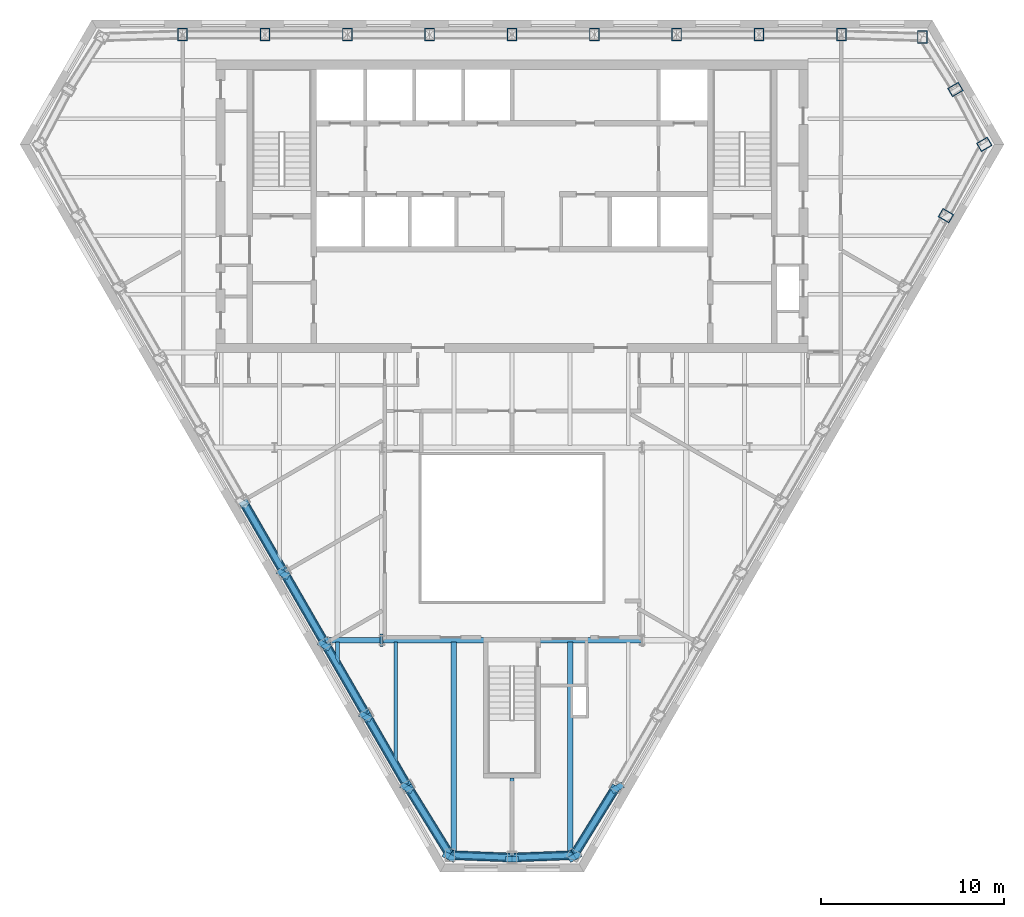
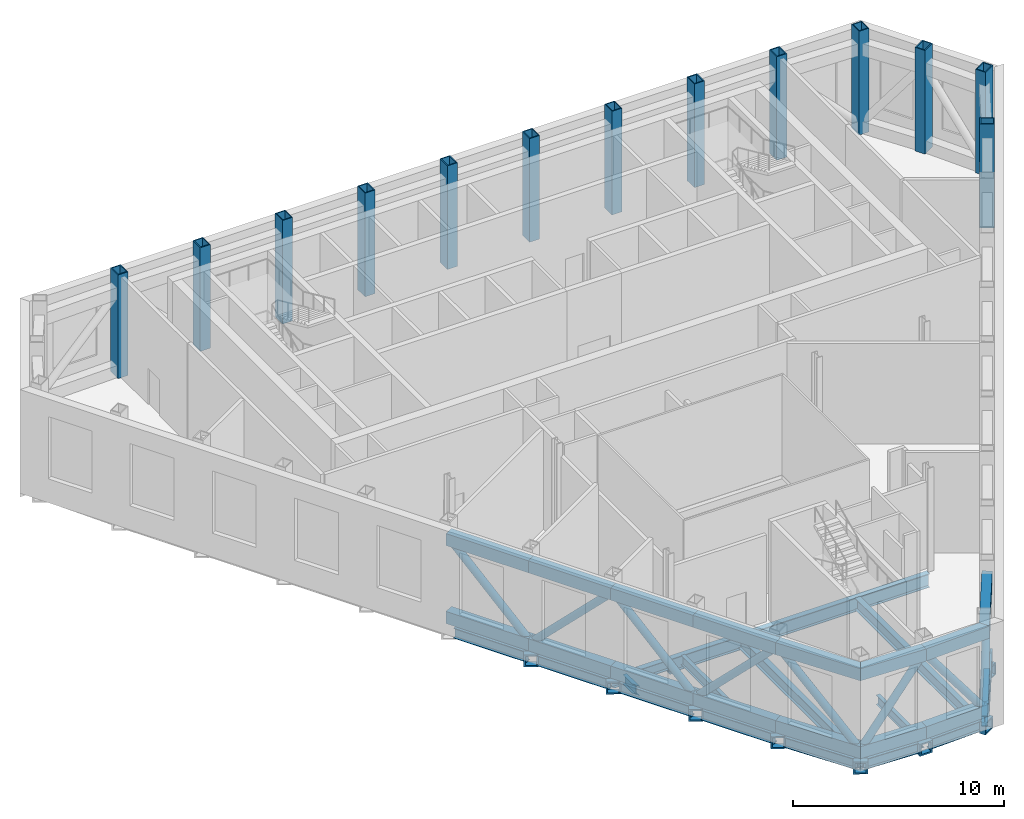
# One storey, part 2 of 13: 24 beams, 24 members, 13 columns.
"""IFC4 building model written with IfcOpenShell, lengths in metres."""

import ifcopenshell
import ifcopenshell.guid

model = None  # the IFC model being written
_history = None  # IfcOwnerHistory: only IFC2X3 demands one
_inside = {}  # id of a spatial element -> (the spatial element, [elements in it])
_under = {}  # id of a project, library or spatial element -> (it, [spatial elements below it])
_declared = {}  # id of a project -> (the project, [libraries it declares])
_typed = {}  # id of a type object -> (the type object, [elements of that type])
_made_of = {}  # id of a material, layer set ... -> (it, [elements and type objects made of it])


def new_model(schema):
    """Start an empty IFC model of exactly this schema.

    Asked for "IFC4X3", IfcOpenShell would pick the latest addendum, in which some entities
    have other attributes; the version numbers below select the first issue.
    IFC2X3 requires an IfcOwnerHistory on every rooted entity: one is made here for all.
    """
    global model, _history
    if schema == "IFC4X3":
        model = ifcopenshell.file(schema_version=(4, 3, 0, 0))
    else:
        model = ifcopenshell.file(schema=schema)
    _inside.clear()
    _under.clear()
    _declared.clear()
    _typed.clear()
    _made_of.clear()
    _history = None
    if model.schema == "IFC2X3":
        org = make("IfcOrganization", Name="unknown")
        user = make(
            "IfcPersonAndOrganization",
            ThePerson=make("IfcPerson", FamilyName="unknown"),
            TheOrganization=org,
        )
        app = make(
            "IfcApplication",
            ApplicationDeveloper=org,
            Version="unknown",
            ApplicationFullName="unknown",
            ApplicationIdentifier="unknown",
        )
        _history = make(
            "IfcOwnerHistory",
            OwningUser=user,
            OwningApplication=app,
            ChangeAction="ADDED",
            CreationDate=0,
        )
    return model


def make(cls, **values):
    """One entity of the class cls with the attributes given. An attribute that is None is left unset."""
    return model.create_entity(
        cls, **{name: value for name, value in values.items() if value is not None}
    )


def rooted(cls, **values):
    """An entity with a GlobalId (a new one), such as an element, a storey or a relation."""
    return make(cls, GlobalId=ifcopenshell.guid.new(), OwnerHistory=_history, **values)


def si_unit(unit_type, name, prefix=None):
    """IfcSIUnit, for example si_unit("LENGTHUNIT", "METRE", prefix="MILLI")."""
    return make("IfcSIUnit", UnitType=unit_type, Prefix=prefix, Name=name)


def assignment(units):
    """IfcUnitAssignment: the units of a project."""
    return None if units is None else make("IfcUnitAssignment", Units=units)


def point(xyz):
    """IfcCartesianPoint."""
    return None if xyz is None else make("IfcCartesianPoint", Coordinates=xyz)


def direction(xyz):
    """IfcDirection."""
    return None if xyz is None else make("IfcDirection", DirectionRatios=xyz)


def frame(location, z_axis=None, x_axis=None):
    """IfcAxis2Placement3D, a coordinate frame: its origin and axes. An axis left out is left unset."""
    return make(
        "IfcAxis2Placement3D",
        Location=point(location),
        Axis=direction(z_axis),
        RefDirection=direction(x_axis),
    )


def frame_2d(location, x_axis=None):
    """IfcAxis2Placement2D, a coordinate frame in the plane: its origin and x axis."""
    return make(
        "IfcAxis2Placement2D", Location=point(location), RefDirection=direction(x_axis)
    )


def origin():
    """The frame at (0, 0, 0) with its axes left unset."""
    return frame((0.0, 0.0, 0.0))


def origin_2d():
    """The frame at (0, 0) in the plane with its x axis left unset."""
    return frame_2d((0.0, 0.0))


def place(relative_to, where):
    """IfcLocalPlacement: puts the frame where relative to a parent placement (None: the world)."""
    return make(
        "IfcLocalPlacement", PlacementRelTo=relative_to, RelativePlacement=where
    )


def context(
    kind, dimensions, precision=None, world=None, true_north=None, identifier=None
):
    """IfcGeometricRepresentationContext, for example the 3D "Model" context."""
    return make(
        "IfcGeometricRepresentationContext",
        ContextIdentifier=identifier,
        ContextType=kind,
        CoordinateSpaceDimension=dimensions,
        Precision=precision,
        WorldCoordinateSystem=world,
        TrueNorth=true_north,
    )


def subcontext(parent, identifier, kind, view, scale=None):
    """IfcGeometricRepresentationSubContext, for example "Body" below "Model"."""
    return make(
        "IfcGeometricRepresentationSubContext",
        ContextIdentifier=identifier,
        ContextType=kind,
        ParentContext=parent,
        TargetScale=scale,
        TargetView=view,
    )


def project(units=None, contexts=None):
    """IfcProject with its units and contexts."""
    return rooted(
        "IfcProject",
        Name="project",
        RepresentationContexts=contexts,
        UnitsInContext=assignment(units),
    )


def spatial(cls, under=None, at=None, **own):
    """A site, building, storey or space (cls), placed at a placement, below another one or the project."""
    s = rooted(cls, ObjectPlacement=at, **own)
    if under is not None:
        _under.setdefault(under.id(), (under, []))[1].append(s)
    return s


def profile(cls, at=None, kind="AREA", **sizes):
    """A parametric profile (cls). Its sizes go by their IFC names, for example OverallWidth=200.0."""
    return make(cls, ProfileType=kind, Position=at, **sizes)


def hollow_rectangle(**sizes):
    """IfcRectangleHollowProfileDef."""
    return profile("IfcRectangleHollowProfileDef", **sizes)


def hollow_circle(**sizes):
    """IfcCircleHollowProfileDef."""
    return profile("IfcCircleHollowProfileDef", **sizes)


def i_section(**sizes):
    """IfcIShapeProfileDef."""
    return profile("IfcIShapeProfileDef", **sizes)


def extrude(swept, where, along, depth):
    """IfcExtrudedAreaSolid: the profile swept, set in the frame where, extruded along a direction by depth."""
    return make(
        "IfcExtrudedAreaSolid",
        SweptArea=swept,
        Position=where,
        ExtrudedDirection=direction(along),
        Depth=depth,
    )


def clip(a, b, op="DIFFERENCE"):
    """IfcBooleanClippingResult: the solid a cut by the half space b."""
    return make(
        "IfcBooleanClippingResult", Operator=op, FirstOperand=a, SecondOperand=b
    )


def halfspace(plane, agree):
    """IfcHalfSpaceSolid: all space on one side of the plane z = 0 of the frame plane."""
    return make(
        "IfcHalfSpaceSolid",
        BaseSurface=make("IfcPlane", Position=plane),
        AgreementFlag=agree,
    )


def shape(context_of_items, identifier, shape_type, items):
    """IfcShapeRepresentation: the items that make up one representation, for example the "Body"."""
    return make(
        "IfcShapeRepresentation",
        ContextOfItems=context_of_items,
        RepresentationIdentifier=identifier,
        RepresentationType=shape_type,
        Items=items,
    )


def material(Name=None, Category=None):
    """IfcMaterial."""
    return make("IfcMaterial", Name=Name, Category=Category)


def material_profile(
    of_material, cross_section, Name=None, Category=None, Priority=None
):
    """IfcMaterialProfile: a cross section and its material."""
    return make(
        "IfcMaterialProfile",
        Name=Name,
        Material=of_material,
        Profile=cross_section,
        Priority=Priority,
        Category=Category,
    )


def profile_set(profiles, Name=None, composite=None):
    """IfcMaterialProfileSet."""
    return make(
        "IfcMaterialProfileSet",
        Name=Name,
        MaterialProfiles=profiles,
        CompositeProfile=composite,
    )


def made_of(thing, what):
    """Note that an element or type object is made of a material, layer set ...; save() writes the relation."""
    if what is not None:
        _made_of.setdefault(what.id(), (what, []))[1].append(thing)
    return thing


def type_object(cls, material=None, **own):
    """A type object (cls), such as IfcWallType, which elements share."""
    return made_of(rooted(cls, **own), material)


def element(
    cls,
    number,
    at=None,
    inside=None,
    cuts=None,
    type_object=None,
    material=None,
    context=None,
    identifier="Body",
    shape_type=None,
    held_by="IfcProductDefinitionShape",
    body=None,
    shapes=None,
    **own,
):
    """One element of the class cls, such as IfcWall. Its Tag is "e" and its number.

    at: its placement. inside: the storey or other place that contains it. cuts: it is an
    opening in that element (IfcRelVoidsElement). A single representation is given by context,
    identifier, shape_type and body (its items); several are given by shapes. held_by: the class
    of the entity that holds the representations. save() writes the other relations.
    """
    e = rooted(cls, Tag="e%d" % number, ObjectPlacement=at, **own)
    if body is not None:
        shapes = [shape(context, identifier, shape_type, body)]
    if shapes is not None:
        e.Representation = make(held_by, Representations=shapes)
    if inside is not None:
        _inside.setdefault(inside.id(), (inside, []))[1].append(e)
    if cuts is not None:
        rooted(
            "IfcRelVoidsElement", RelatingBuildingElement=cuts, RelatedOpeningElement=e
        )
    if type_object is not None:
        _typed.setdefault(type_object.id(), (type_object, []))[1].append(e)
    return made_of(e, material)


def aggregate(whole, parts):
    """IfcRelAggregates: a whole, such as a stair, and the parts it consists of."""
    return rooted("IfcRelAggregates", RelatingObject=whole, RelatedObjects=parts)


def save(model, path):
    """Write the relations noted so far, then the file.

    IfcRelAggregates (storeys below a building ...), IfcRelContainedInSpatialStructure (elements
    in a storey), IfcRelDefinesByType, IfcRelAssociatesMaterial and IfcRelDeclares: one each for
    every whole, place, type object, material and project.
    """
    for whole, parts in _under.values():
        aggregate(whole, parts)
    for where, things in _inside.values():
        rooted(
            "IfcRelContainedInSpatialStructure",
            RelatedElements=things,
            RelatingStructure=where,
        )
    for kind, things in _typed.values():
        rooted("IfcRelDefinesByType", RelatedObjects=things, RelatingType=kind)
    for what, things in _made_of.values():
        rooted("IfcRelAssociatesMaterial", RelatedObjects=things, RelatingMaterial=what)
    for by, libraries in _declared.values():
        rooted("IfcRelDeclares", RelatingContext=by, RelatedDefinitions=libraries)
    model.write(path)


model = new_model("IFC4")

# Units and contexts
model_context = context("Model", 3, precision=1e-05, world=origin(), true_north=direction((0.0, 1.0)))
body_context = subcontext(model_context, "Body", "Model", "MODEL_VIEW")
ifc_project = project(units=[si_unit("LENGTHUNIT", "METRE"), si_unit("AREAUNIT", "SQUARE_METRE"), si_unit("VOLUMEUNIT", "CUBIC_METRE"), si_unit("PLANEANGLEUNIT", "RADIAN"), si_unit("MASSUNIT", "GRAM", prefix="KILO")], contexts=[model_context])

# Site, building, storey
site_placement = place(None, origin())
site = spatial("IfcSite", under=ifc_project, at=site_placement, CompositionType="ELEMENT")
building_placement = place(site_placement, origin())
building = spatial("IfcBuilding", under=site, at=building_placement, Name="Njiva Tower", CompositionType="ELEMENT")
storey_placement = place(building_placement, frame((0.0, 0.0, 186.6)))
storey = spatial("IfcBuildingStorey", under=building, at=storey_placement, Name="L41", CompositionType="ELEMENT", Elevation=186.6)

# Columns
ifc_material_1 = material(Name="Steel S355 J2", Category="steel")
ifc_material_profile_1 = material_profile(ifc_material_1, hollow_rectangle(XDim=0.55, YDim=0.7, WallThickness=0.05, at=origin_2d()), Name="BOX 700x550x50")
ifc_profile_set_1 = profile_set([ifc_material_profile_1], Name="Steel S355 J2")
column_type = type_object("IfcColumnType", Name="C11 Perimeter tube column BOX 700x550x50", PredefinedType="COLUMN", material=ifc_profile_set_1)
for number, where, z_axis, x_axis, name in (
    (1, (22.461, 19.267, 0.0), (0.0, 0.0, 1.0), (-1.0, 0.0, 0.0), "Perimeter tube column T3-C01"),
    (2, (18.03, 19.4, 0.0), (0.0, 0.0, 1.0), (-1.0, 0.0, 0.0), "Perimeter tube column T3-C02"),
    (3, (13.523, 19.4, 0.0), (0.0, 0.0, 1.0), (-1.0, 0.0, 0.0), "Perimeter tube column T3-C03"),
    (4, (9.015, 19.4, 0.0), (0.0, 0.0, 1.0), (-1.0, 0.0, 0.0), "Perimeter tube column T3-C04"),
    (5, (4.508, 19.4, 0.0), (0.0, 0.0, 1.0), (-1.0, 0.0, 0.0), "Perimeter tube column T3-C05"),
    (6, (0.0, 19.4, 0.0), (0.0, 0.0, 1.0), (-1.0, 0.0, 0.0), "Perimeter tube column T3-C06"),
    (7, (-4.508, 19.4, 0.0), (0.0, 0.0, 1.0), (-1.0, 0.0, 0.0), "Perimeter tube column T3-C07"),
    (8, (-9.015, 19.4, 0.0), (0.0, 0.0, 1.0), (-1.0, 0.0, 0.0), "Perimeter tube column T3-C08"),
    (9, (-13.523, 19.4, 0.0), (0.0, 0.0, 1.0), (-1.0, 0.0, 0.0), "Perimeter tube column T3-C09"),
    (10, (-18.03, 19.4, 0.0), (0.0, 0.0, 1.0), (-1.0, 0.0, 0.0), "Perimeter tube column T3-C10"),
    (11, (23.752, 9.489, 0.0), (0.0, 0.0, 1.0), (0.5, 0.866025403784, 0.0), "Perimeter tube column T3-C34"),
    (12, (25.853, 13.393, 0.0), (0.0, 0.0, 1.0), (-0.5, 0.866025403784, 0.0), "Perimeter tube column T3-C35"),
    (13, (24.272, 16.397, 0.0), (0.0, 0.0, 1.0), (-0.5, 0.866025403784, 0.0), "Perimeter tube column T3-C36"),
):
    element("IfcColumn", number, at=place(storey_placement, frame(where, z_axis=z_axis, x_axis=x_axis)), inside=storey, type_object=column_type, Name=name, PredefinedType="COLUMN", context=body_context, shape_type="SweptSolid", body=[
        extrude(hollow_rectangle(XDim=0.55, YDim=0.7, WallThickness=0.05, at=origin_2d()), origin(), (0.0, 0.0, 1.0), 6.0),
    ])

# Beams
ifc_material_profile_2 = material_profile(ifc_material_1, i_section(OverallWidth=0.3, OverallDepth=0.69, WebThickness=0.0145, FlangeThickness=0.027, at=origin_2d()), Name="HEA 700")
ifc_profile_set_2 = profile_set([ifc_material_profile_2], Name="Steel S355 J2")
beam_type_1 = type_object("IfcBeamType", Name="B12 Long-span floor joist HEA 700", PredefinedType="JOIST", material=ifc_profile_set_2)
beam_1_placement = place(storey_placement, frame((-3.183, -13.85, -0.545), z_axis=(0.0, -1.0, 0.0), x_axis=(1.0, 0.0, 0.0)))
element("IfcBeam", 14, at=beam_1_placement, inside=storey, type_object=beam_type_1, Name="Long-span floor joist T3-B056", PredefinedType="JOIST", context=body_context, shape_type="SweptSolid", body=[
    extrude(i_section(OverallWidth=0.3, OverallDepth=0.69, WebThickness=0.0145, FlangeThickness=0.027, at=origin_2d()), origin(), (0.0, 0.0, 1.0), 11.543),
])
beam_2_placement = place(storey_placement, frame((3.183, -13.85, -0.545), z_axis=(0.0, -1.0, 0.0), x_axis=(1.0, 0.0, 0.0)))
element("IfcBeam", 15, at=beam_2_placement, inside=storey, type_object=beam_type_1, Name="Long-span floor joist T3-B060", PredefinedType="JOIST", context=body_context, shape_type="SweptSolid", body=[
    extrude(i_section(OverallWidth=0.3, OverallDepth=0.69, WebThickness=0.0145, FlangeThickness=0.027, at=origin_2d()), origin(), (0.0, 0.0, 1.0), 11.55),
])
ifc_material_profile_3 = material_profile(ifc_material_1, hollow_rectangle(XDim=0.7, YDim=0.7, WallThickness=0.08, at=origin_2d()), Name="BOX 700x700x80")
ifc_profile_set_3 = profile_set([ifc_material_profile_3], Name="Steel S355 J2")
beam_type_2 = type_object("IfcBeamType", Name="B19 Column jog beam BOX 700x700x80", PredefinedType="BEAM", material=ifc_profile_set_3)
beam_3_placement = place(storey_placement, frame((-12.615, -10.26, -0.55), z_axis=(0.496799306689, 0.867865455513, 0.0), x_axis=(-0.867865455513, 0.496799306689, 0.0)))
element("IfcBeam", 16, at=beam_3_placement, inside=storey, type_object=beam_type_2, Name="Column jog beam T3-B026", PredefinedType="BEAM", context=body_context, shape_type="SweptSolid", body=[
    extrude(hollow_rectangle(XDim=0.7, YDim=0.7, WallThickness=0.08, at=origin_2d()), origin(), (0.0, 0.0, 1.0), 0.3261),
])
beam_4_placement = place(storey_placement, frame((-10.36, -14.164, -0.55), z_axis=(0.489822391419, 0.871822243846, 0.0), x_axis=(-0.871822243846, 0.489822391419, 0.0)))
element("IfcBeam", 17, at=beam_4_placement, inside=storey, type_object=beam_type_2, Name="Column jog beam T3-B027", PredefinedType="BEAM", context=body_context, shape_type="SweptSolid", body=[
    extrude(hollow_rectangle(XDim=0.7, YDim=0.7, WallThickness=0.08, at=origin_2d()), origin(), (0.0, 0.0, 1.0), 0.3246),
])
beam_5_placement = place(storey_placement, frame((-8.106, -18.069, -0.55), z_axis=(0.488509809828, 0.872558402459, 0.0), x_axis=(-0.872558402459, 0.488509809828, 0.0)))
element("IfcBeam", 18, at=beam_5_placement, inside=storey, type_object=beam_type_2, Name="Column jog beam T3-B028", PredefinedType="BEAM", context=body_context, shape_type="SweptSolid", body=[
    extrude(hollow_rectangle(XDim=0.7, YDim=0.7, WallThickness=0.08, at=origin_2d()), origin(), (0.0, 0.0, 1.0), 0.3255),
])
beam_6_placement = place(storey_placement, frame((-5.851, -21.974, -0.55), z_axis=(0.482270228445, 0.876022503567, 0.0), x_axis=(-0.876022503567, 0.482270228445, 0.0)))
element("IfcBeam", 19, at=beam_6_placement, inside=storey, type_object=beam_type_2, Name="Column jog beam T3-B031", PredefinedType="BEAM", context=body_context, shape_type="SweptSolid", body=[
    extrude(hollow_rectangle(XDim=0.7, YDim=0.7, WallThickness=0.08, at=origin_2d()), origin(), (0.0, 0.0, 1.0), 0.3276),
])
beam_7_placement = place(storey_placement, frame((-3.52, -25.746, -0.55), z_axis=(0.480983596396, 0.876729593431, 0.0), x_axis=(-0.876729593431, 0.480983596396, 0.0)))
element("IfcBeam", 20, at=beam_7_placement, inside=storey, type_object=beam_type_2, Name="Column jog beam T3-B032", PredefinedType="BEAM", context=body_context, shape_type="SweptSolid", body=[
    extrude(hollow_rectangle(XDim=0.7, YDim=0.7, WallThickness=0.08, at=origin_2d()), origin(), (0.0, 0.0, 1.0), 0.3285),
])
beam_8_placement = place(storey_placement, frame((0.0, -25.886, -0.55), z_axis=(0.0, 1.0, 0.0), x_axis=(-1.0, 0.0, 0.0)))
element("IfcBeam", 21, at=beam_8_placement, inside=storey, type_object=beam_type_2, Name="Column jog beam T3-B033", PredefinedType="BEAM", context=body_context, shape_type="SweptSolid", body=[
    extrude(hollow_rectangle(XDim=0.7, YDim=0.7, WallThickness=0.08, at=origin_2d()), origin(), (0.0, 0.0, 1.0), 0.302),
])
beam_9_placement = place(storey_placement, frame((3.52, -25.746, -0.55), z_axis=(-0.480983596396, 0.876729593431, 0.0), x_axis=(-0.876729593431, -0.480983596396, 0.0)))
element("IfcBeam", 22, at=beam_9_placement, inside=storey, type_object=beam_type_2, Name="Column jog beam T3-B034", PredefinedType="BEAM", context=body_context, shape_type="SweptSolid", body=[
    extrude(hollow_rectangle(XDim=0.7, YDim=0.7, WallThickness=0.08, at=origin_2d()), origin(), (0.0, 0.0, 1.0), 0.3285),
])
beam_10_placement = place(storey_placement, frame((5.851, -21.974, -0.55), z_axis=(-0.482270228445, 0.876022503567, 0.0), x_axis=(-0.876022503567, -0.482270228445, 0.0)))
element("IfcBeam", 23, at=beam_10_placement, inside=storey, type_object=beam_type_2, Name="Column jog beam T3-B035", PredefinedType="BEAM", context=body_context, shape_type="SweptSolid", body=[
    extrude(hollow_rectangle(XDim=0.7, YDim=0.7, WallThickness=0.08, at=origin_2d()), origin(), (0.0, 0.0, 1.0), 0.3276),
])
beam_11_placement = place(storey_placement, frame((-7.23, -13.75, -0.55), z_axis=(1.0, 0.0, 0.0), x_axis=(0.0, 1.0, 0.0)))
element("IfcBeam", 24, at=beam_11_placement, inside=storey, type_object=beam_type_2, Name="Column jog beam T3-B029", PredefinedType="BEAM", context=body_context, shape_type="SweptSolid", body=[
    extrude(hollow_rectangle(XDim=0.7, YDim=0.7, WallThickness=0.08, at=origin_2d()), origin(), (0.0, 0.0, 1.0), 0.18),
])
ifc_material_profile_4 = material_profile(ifc_material_1, i_section(OverallWidth=0.3, OverallDepth=0.59, WebThickness=0.013, FlangeThickness=0.025, at=origin_2d()), Name="HEA 600")
ifc_profile_set_4 = profile_set([ifc_material_profile_4], Name="Steel S355 J2")
beam_type_3 = type_object("IfcBeamType", Name="B27 Short-span spandrel beam HEA 600", PredefinedType="SPANDREL", material=ifc_profile_set_4)
beam_12_placement = place(storey_placement, frame((-14.561, -6.431, -0.495), z_axis=(0.500082280366, -0.865977893981, 0.0), x_axis=(0.865977893981, 0.500082280366, 0.0)))
element("IfcBeam", 25, at=beam_12_placement, inside=storey, type_object=beam_type_3, Name="Short-span spandrel beam T3-B083", PredefinedType="SPANDREL", context=body_context, shape_type="SweptSolid", body=[
    extrude(i_section(OverallWidth=0.3, OverallDepth=0.59, WebThickness=0.013, FlangeThickness=0.025, at=origin_2d()), origin(), (0.0, 0.0, 1.0), 4.0093),
])
beam_13_placement = place(storey_placement, frame((-12.306, -10.336, -0.495), z_axis=(0.500003221507, -0.866023543838, 0.0), x_axis=(0.866023543838, 0.500003221507, 0.0)))
element("IfcBeam", 26, at=beam_13_placement, inside=storey, type_object=beam_type_3, Name="Short-span spandrel beam T3-B085", PredefinedType="SPANDREL", context=body_context, shape_type="SweptSolid", body=[
    extrude(i_section(OverallWidth=0.3, OverallDepth=0.59, WebThickness=0.013, FlangeThickness=0.025, at=origin_2d()), origin(), (0.0, 0.0, 1.0), 4.008),
])
beam_14_placement = place(storey_placement, frame((-10.052, -14.24, -0.495), z_axis=(0.499895202697, -0.866085900082, 0.0), x_axis=(0.866085900082, 0.499895202697, 0.0)))
element("IfcBeam", 27, at=beam_14_placement, inside=storey, type_object=beam_type_3, Name="Short-span spandrel beam T3-B086", PredefinedType="SPANDREL", context=body_context, shape_type="SweptSolid", body=[
    extrude(i_section(OverallWidth=0.3, OverallDepth=0.59, WebThickness=0.013, FlangeThickness=0.025, at=origin_2d()), origin(), (0.0, 0.0, 1.0), 4.0088),
])
beam_15_placement = place(storey_placement, frame((-7.798, -18.145, -0.495), z_axis=(0.500003221507, -0.866023543838, 0.0), x_axis=(0.866023543838, 0.500003221507, 0.0)))
element("IfcBeam", 28, at=beam_15_placement, inside=storey, type_object=beam_type_3, Name="Short-span spandrel beam T3-B088", PredefinedType="SPANDREL", context=body_context, shape_type="SweptSolid", body=[
    extrude(i_section(OverallWidth=0.3, OverallDepth=0.59, WebThickness=0.013, FlangeThickness=0.025, at=origin_2d()), origin(), (0.0, 0.0, 1.0), 4.008),
])
beam_16_placement = place(storey_placement, frame((-5.533, -22.047, -0.495), z_axis=(0.525925752907, -0.850530482951, 0.0), x_axis=(0.850530482951, 0.525925752907, 0.0)))
element("IfcBeam", 29, at=beam_16_placement, inside=storey, type_object=beam_type_3, Name="Short-span spandrel beam T3-B089", PredefinedType="SPANDREL", context=body_context, shape_type="Clipping", body=[
    clip(extrude(i_section(OverallWidth=0.3, OverallDepth=0.59, WebThickness=0.013, FlangeThickness=0.025, at=origin_2d()), origin(), (0.0, 0.0, 1.0), 4.047), halfspace(frame((-0.0265, 0.0, 3.9177), z_axis=(-0.525925752907, 0.0, 0.850530482951), x_axis=(0.0, 1.0, 0.0)), False)),
])
beam_17_placement = place(storey_placement, frame((-3.236, -25.517, -0.495), z_axis=(0.999230663437, -0.039218378941, 0.0), x_axis=(0.039218378941, 0.999230663437, 0.0)))
element("IfcBeam", 30, at=beam_17_placement, inside=storey, type_object=beam_type_3, Name="Short-span spandrel beam T3-B091", PredefinedType="SPANDREL", context=body_context, shape_type="SweptSolid", body=[
    extrude(i_section(OverallWidth=0.3, OverallDepth=0.59, WebThickness=0.013, FlangeThickness=0.025, at=origin_2d()), origin(), (0.0, 0.0, 1.0), 2.9833),
])
beam_18_placement = place(storey_placement, frame((0.255, -25.634, -0.495), z_axis=(0.999235793295, 0.039087458313, 0.0), x_axis=(-0.039087458313, 0.999235793295, 0.0)))
element("IfcBeam", 31, at=beam_18_placement, inside=storey, type_object=beam_type_3, Name="Short-span spandrel beam T3-B093", PredefinedType="SPANDREL", context=body_context, shape_type="Clipping", body=[
    clip(extrude(i_section(OverallWidth=0.3, OverallDepth=0.59, WebThickness=0.013, FlangeThickness=0.025, at=origin_2d()), origin(), (0.0, 0.0, 1.0), 3.1083), halfspace(frame((-0.0264, 0.0, 2.9768), z_axis=(-0.533466684738, 0.0, 0.845821078169), x_axis=(0.0, 1.0, 0.0)), False)),
])
beam_19_placement = place(storey_placement, frame((3.468, -25.387, -0.495), z_axis=(0.525872346388, 0.850563504569, 0.0), x_axis=(-0.850563504569, 0.525872346388, 0.0)))
element("IfcBeam", 32, at=beam_19_placement, inside=storey, type_object=beam_type_3, Name="Short-span spandrel beam T3-B094", PredefinedType="SPANDREL", context=body_context, shape_type="SweptSolid", body=[
    extrude(i_section(OverallWidth=0.3, OverallDepth=0.59, WebThickness=0.013, FlangeThickness=0.025, at=origin_2d()), origin(), (0.0, 0.0, 1.0), 3.9268),
])
ifc_material_profile_5 = material_profile(ifc_material_1, i_section(OverallWidth=0.3, OverallDepth=0.59, WebThickness=0.013, FlangeThickness=0.025, at=origin_2d()), Name="HEA 600")
ifc_profile_set_5 = profile_set([ifc_material_profile_5], Name="Steel S355 J2")
beam_type_4 = type_object("IfcBeamType", Name="B29 Short-span floor girder HEA 600", PredefinedType="BEAM", material=ifc_profile_set_5)
beam_20_placement = place(storey_placement, frame((-10.327, -13.75, -0.495), z_axis=(1.0, 0.0, 0.0), x_axis=(0.0, 1.0, 0.0)))
element("IfcBeam", 33, at=beam_20_placement, inside=storey, type_object=beam_type_4, Name="Short-span floor girder T3-B014", PredefinedType="BEAM", context=body_context, shape_type="Clipping", body=[
    clip(extrude(i_section(OverallWidth=0.3, OverallDepth=0.59, WebThickness=0.013, FlangeThickness=0.025, at=origin_2d()), origin(), (0.0, 0.0, 1.0), 3.217), halfspace(frame((-0.025, 0.0, 0.1217), z_axis=(-0.499998009787, 0.0, -0.866026552831), x_axis=(0.0, -1.0, 0.0)), False)),
])
ifc_material_profile_6 = material_profile(ifc_material_1, i_section(OverallWidth=0.21, OverallDepth=0.55, WebThickness=0.0111, FlangeThickness=0.0172, at=origin_2d()), Name="IPE 550")
ifc_profile_set_6 = profile_set([ifc_material_profile_6], Name="Steel S355 J2")
beam_type_5 = type_object("IfcBeamType", Name="B31 Short-span floor joist IPE 550", PredefinedType="JOIST", material=ifc_profile_set_6)
beam_21_placement = place(storey_placement, frame((-9.55, -13.85, -0.475), z_axis=(0.0, -1.0, 0.0), x_axis=(1.0, 0.0, 0.0)))
element("IfcBeam", 34, at=beam_21_placement, inside=storey, type_object=beam_type_5, Name="Short-span floor joist T3-B051", PredefinedType="JOIST", context=body_context, shape_type="Clipping", body=[
    clip(extrude(i_section(OverallWidth=0.21, OverallDepth=0.55, WebThickness=0.0111, FlangeThickness=0.0172, at=origin_2d()), origin(), (0.0, 0.0, 1.0), 1.262), halfspace(frame((-0.0433, 0.0, 0.985), z_axis=(-0.866026552831, 0.0, 0.499998009787), x_axis=(0.0, 1.0, 0.0)), False)),
])
beam_22_placement = place(storey_placement, frame((0.0, -21.3, -0.475), z_axis=(0.0, -1.0, 0.0), x_axis=(1.0, 0.0, 0.0)))
element("IfcBeam", 35, at=beam_22_placement, inside=storey, type_object=beam_type_5, Name="Short-span floor joist T3-B058", PredefinedType="JOIST", context=body_context, shape_type="SweptSolid", body=[
    extrude(i_section(OverallWidth=0.21, OverallDepth=0.55, WebThickness=0.0111, FlangeThickness=0.0172, at=origin_2d()), origin(), (0.0, 0.0, 1.0), 4.226),
])
ifc_material_profile_7 = material_profile(ifc_material_1, i_section(OverallWidth=0.21, OverallDepth=0.55, WebThickness=0.0111, FlangeThickness=0.0172, at=origin_2d()), Name="IPE 550")
ifc_profile_set_7 = profile_set([ifc_material_profile_7], Name="Steel S355 J2")
beam_type_6 = type_object("IfcBeamType", Name="B32 Floor joist IPE 550", PredefinedType="JOIST", material=ifc_profile_set_7)
beam_23_placement = place(storey_placement, frame((-6.367, -13.85, -0.475), z_axis=(0.0, -1.0, 0.0), x_axis=(1.0, 0.0, 0.0)))
element("IfcBeam", 36, at=beam_23_placement, inside=storey, type_object=beam_type_6, Name="Floor joist T3-B054", PredefinedType="JOIST", context=body_context, shape_type="Clipping", body=[
    clip(extrude(i_section(OverallWidth=0.21, OverallDepth=0.55, WebThickness=0.0111, FlangeThickness=0.0172, at=origin_2d()), origin(), (0.0, 0.0, 1.0), 6.776), halfspace(frame((-0.043, 0.0, 6.4987), z_axis=(-0.866026552831, 0.0, 0.499998009787), x_axis=(0.0, 1.0, 0.0)), False)),
])
ifc_material_profile_8 = material_profile(ifc_material_1, i_section(OverallWidth=0.3, OverallDepth=0.79, WebThickness=0.015, FlangeThickness=0.028, at=origin_2d()), Name="HEA 800")
ifc_profile_set_8 = profile_set([ifc_material_profile_8], Name="Steel S355 J2")
beam_type_7 = type_object("IfcBeamType", Name="B9 Long-span atrium trimmer beam HEA 800", PredefinedType="BEAM", material=ifc_profile_set_8)
beam_24_placement = place(storey_placement, frame((-7.11, -13.75, -0.595), z_axis=(1.0, 0.0, 0.0), x_axis=(0.0, 1.0, 0.0)))
element("IfcBeam", 37, at=beam_24_placement, inside=storey, type_object=beam_type_7, Name="Long-span atrium trimmer beam T3-B071", PredefinedType="BEAM", context=body_context, shape_type="SweptSolid", body=[
    extrude(i_section(OverallWidth=0.3, OverallDepth=0.79, WebThickness=0.015, FlangeThickness=0.028, at=origin_2d()), origin(), (0.0, 0.0, 1.0), 14.22),
])

# Members
ifc_material_profile_9 = material_profile(ifc_material_1, hollow_rectangle(XDim=0.5, YDim=0.7, WallThickness=0.04, at=origin_2d()), Name="BOX 700x500x40")
ifc_profile_set_9 = profile_set([ifc_material_profile_9], Name="Steel S355 J2")
member_type_1 = type_object("IfcMemberType", Name="TC2 Belt truss chord BOX 700x500x40", PredefinedType="CHORD", material=ifc_profile_set_9)
for number, where, z_axis, x_axis, name in (
    (38, (-14.737, -6.126, 0.35), (0.50010015525, -0.865967571402, 0.0), (0.865967571402, 0.50010015525, 0.0), "Belt truss chord T3-TR052"),
    (39, (-14.737, -6.126, 4.86), (0.50010015525, -0.865967571402, 0.0), (0.865967571402, 0.50010015525, 0.0), "Belt truss chord T3-TR053"),
):
    element("IfcMember", number, at=place(storey_placement, frame(where, z_axis=z_axis, x_axis=x_axis)), inside=storey, type_object=member_type_1, Name=name, PredefinedType="CHORD", context=body_context, shape_type="SweptSolid", body=[
        extrude(hollow_rectangle(XDim=0.5, YDim=0.7, WallThickness=0.04, at=origin_2d()), origin(), (0.0, 0.0, 1.0), 4.5071),
    ])
for number, where, z_axis, x_axis, name in (
    (40, (-12.483, -10.029, 0.35), (0.499837685251, -0.86611909597, 0.0), (0.86611909597, 0.499837685251, 0.0), "Belt truss chord T3-TR055"),
    (41, (-12.483, -10.029, 4.86), (0.499837685251, -0.86611909597, 0.0), (0.86611909597, 0.499837685251, 0.0), "Belt truss chord T3-TR056"),
):
    element("IfcMember", number, at=place(storey_placement, frame(where, z_axis=z_axis, x_axis=x_axis)), inside=storey, type_object=member_type_1, Name=name, PredefinedType="CHORD", context=body_context, shape_type="SweptSolid", body=[
        extrude(hollow_rectangle(XDim=0.5, YDim=0.7, WallThickness=0.04, at=origin_2d()), origin(), (0.0, 0.0, 1.0), 4.5075),
    ])
for number, where, z_axis, x_axis, name in (
    (42, (-10.23, -13.933, 0.35), (0.500004084281, -0.866023045711, 0.0), (0.866023045711, 0.500004084281, 0.0), "Belt truss chord T3-TR058"),
    (43, (-10.23, -13.933, 4.86), (0.500004084281, -0.866023045711, 0.0), (0.866023045711, 0.500004084281, 0.0), "Belt truss chord T3-TR059"),
):
    element("IfcMember", number, at=place(storey_placement, frame(where, z_axis=z_axis, x_axis=x_axis)), inside=storey, type_object=member_type_1, Name=name, PredefinedType="CHORD", context=body_context, shape_type="SweptSolid", body=[
        extrude(hollow_rectangle(XDim=0.5, YDim=0.7, WallThickness=0.04, at=origin_2d()), origin(), (0.0, 0.0, 1.0), 4.508),
    ])
member_1_placement = place(storey_placement, frame((-7.976, -17.837, 0.35), z_axis=(0.50010015525, -0.865967571402, 0.0), x_axis=(0.865967571402, 0.50010015525, 0.0)))
element("IfcMember", 44, at=member_1_placement, inside=storey, type_object=member_type_1, Name="Belt truss chord T3-TR061", PredefinedType="CHORD", context=body_context, shape_type="Clipping", body=[
    clip(extrude(hollow_rectangle(XDim=0.5, YDim=0.7, WallThickness=0.04, at=origin_2d()), origin(), (0.0, 0.0, 1.0), 4.5411), halfspace(frame((0.0, -186.95, 4.5071), z_axis=(0.014968956845, 0.0, 0.999887958889), x_axis=(0.0, 1.0, 0.0)), False)),
])
member_2_placement = place(storey_placement, frame((-7.976, -17.837, 4.86), z_axis=(0.50010015525, -0.865967571402, 0.0), x_axis=(0.865967571402, 0.50010015525, 0.0)))
element("IfcMember", 45, at=member_2_placement, inside=storey, type_object=member_type_1, Name="Belt truss chord T3-TR062", PredefinedType="CHORD", context=body_context, shape_type="Clipping", body=[
    clip(extrude(hollow_rectangle(XDim=0.5, YDim=0.7, WallThickness=0.04, at=origin_2d()), origin(), (0.0, 0.0, 1.0), 4.5411), halfspace(frame((0.0, -191.46, 4.5071), z_axis=(0.014968956845, 0.0, 0.999887958889), x_axis=(0.0, 1.0, 0.0)), False)),
])
member_3_placement = place(storey_placement, frame((-5.7399, -21.7111, 0.35), z_axis=(0.525795391851, -0.850611077936, 0.0), x_axis=(0.850611077936, 0.525795391851, 0.0)))
element("IfcMember", 46, at=member_3_placement, inside=storey, type_object=member_type_1, Name="Belt truss chord T3-TR064", PredefinedType="CHORD", context=body_context, shape_type="Clipping", body=[
    clip(clip(extrude(hollow_rectangle(XDim=0.5, YDim=0.7, WallThickness=0.04, at=origin_2d()), origin(), (0.0, 0.0, 1.0), 4.6303), halfspace(frame((0.0, -186.95, 0.034), z_axis=(0.014965422646, 0.0, -0.999888011792), x_axis=(0.0, -1.0, 0.0)), False)), halfspace(frame((0.0, -186.95, 4.4673), z_axis=(0.469717240697, 0.0, 0.882816919747), x_axis=(0.0, 1.0, 0.0)), False)),
])
member_4_placement = place(storey_placement, frame((-5.7399, -21.7111, 4.86), z_axis=(0.525795391851, -0.850611077936, 0.0), x_axis=(0.850611077936, 0.525795391851, 0.0)))
element("IfcMember", 47, at=member_4_placement, inside=storey, type_object=member_type_1, Name="Belt truss chord T3-TR065", PredefinedType="CHORD", context=body_context, shape_type="Clipping", body=[
    clip(clip(extrude(hollow_rectangle(XDim=0.5, YDim=0.7, WallThickness=0.04, at=origin_2d()), origin(), (0.0, 0.0, 1.0), 4.6303), halfspace(frame((0.0, -191.46, 0.034), z_axis=(0.014965422646, 0.0, -0.999888011792), x_axis=(0.0, -1.0, 0.0)), False)), halfspace(frame((0.0, -191.46, 4.4673), z_axis=(0.469717240697, 0.0, 0.882816919747), x_axis=(0.0, 1.0, 0.0)), False)),
])
member_5_placement = place(storey_placement, frame((-3.5539, -25.5046, 0.35), z_axis=(0.999231724479, -0.039191335699, 0.0), x_axis=(0.039191335699, 0.999231724479, 0.0)))
element("IfcMember", 48, at=member_5_placement, inside=storey, type_object=member_type_1, Name="Belt truss chord T3-TR067", PredefinedType="CHORD", context=body_context, shape_type="Clipping", body=[
    clip(clip(extrude(hollow_rectangle(XDim=0.5, YDim=0.7, WallThickness=0.04, at=origin_2d()), origin(), (0.0, 0.0, 1.0), 3.5966), halfspace(frame((0.0, -186.95, 0.163), z_axis=(0.469720867504, 0.0, -0.882814990035), x_axis=(0.0, -1.0, 0.0)), False)), halfspace(frame((0.0, -186.95, 3.5566), z_axis=(0.039191335699, 0.0, 0.999231724479), x_axis=(0.0, 1.0, 0.0)), False)),
])
member_6_placement = place(storey_placement, frame((-3.5539, -25.5046, 4.86), z_axis=(0.999231724479, -0.039191335699, 0.0), x_axis=(0.039191335699, 0.999231724479, 0.0)))
element("IfcMember", 49, at=member_6_placement, inside=storey, type_object=member_type_1, Name="Belt truss chord T3-TR068", PredefinedType="CHORD", context=body_context, shape_type="Clipping", body=[
    clip(clip(extrude(hollow_rectangle(XDim=0.5, YDim=0.7, WallThickness=0.04, at=origin_2d()), origin(), (0.0, 0.0, 1.0), 3.5966), halfspace(frame((0.0, -191.46, 0.163), z_axis=(0.469720867504, 0.0, -0.882814990035), x_axis=(0.0, -1.0, 0.0)), False)), halfspace(frame((0.0, -191.46, 3.5566), z_axis=(0.039191335699, 0.0, 0.999231724479), x_axis=(0.0, 1.0, 0.0)), False)),
])
member_7_placement = place(storey_placement, frame((-0.04, -25.6456, 0.35), z_axis=(0.999231724479, 0.039191335699, 0.0), x_axis=(-0.039191335699, 0.999231724479, 0.0)))
element("IfcMember", 50, at=member_7_placement, inside=storey, type_object=member_type_1, Name="Belt truss chord T3-TR070", PredefinedType="CHORD", context=body_context, shape_type="Clipping", body=[
    clip(clip(extrude(hollow_rectangle(XDim=0.5, YDim=0.7, WallThickness=0.04, at=origin_2d()), origin(), (0.0, 0.0, 1.0), 3.5966), halfspace(frame((0.0, -186.95, 0.04), z_axis=(0.039191335699, 0.0, -0.999231724479), x_axis=(0.0, -1.0, 0.0)), False)), halfspace(frame((0.0, -186.95, 3.4336), z_axis=(0.469720867504, 0.0, 0.882814990035), x_axis=(0.0, 1.0, 0.0)), False)),
])
member_8_placement = place(storey_placement, frame((-0.04, -25.6456, 4.86), z_axis=(0.999231724479, 0.039191335699, 0.0), x_axis=(-0.039191335699, 0.999231724479, 0.0)))
element("IfcMember", 51, at=member_8_placement, inside=storey, type_object=member_type_1, Name="Belt truss chord T3-TR071", PredefinedType="CHORD", context=body_context, shape_type="Clipping", body=[
    clip(clip(extrude(hollow_rectangle(XDim=0.5, YDim=0.7, WallThickness=0.04, at=origin_2d()), origin(), (0.0, 0.0, 1.0), 3.5966), halfspace(frame((0.0, -191.46, 0.04), z_axis=(0.039191335699, 0.0, -0.999231724479), x_axis=(0.0, -1.0, 0.0)), False)), halfspace(frame((0.0, -191.46, 3.4336), z_axis=(0.469720867504, 0.0, 0.882814990035), x_axis=(0.0, 1.0, 0.0)), False)),
])
member_9_placement = place(storey_placement, frame((3.3053, -25.6496, 0.35), z_axis=(0.525795391851, 0.850611077936, 0.0), x_axis=(-0.850611077936, 0.525795391851, 0.0)))
element("IfcMember", 52, at=member_9_placement, inside=storey, type_object=member_type_1, Name="Belt truss chord T3-TR073", PredefinedType="CHORD", context=body_context, shape_type="Clipping", body=[
    clip(clip(extrude(hollow_rectangle(XDim=0.5, YDim=0.7, WallThickness=0.04, at=origin_2d()), origin(), (0.0, 0.0, 1.0), 4.6303), halfspace(frame((0.0, -186.95, 0.163), z_axis=(0.469717240697, 0.0, -0.882816919747), x_axis=(0.0, -1.0, 0.0)), False)), halfspace(frame((0.0, -186.95, 4.5963), z_axis=(0.014965422646, 0.0, 0.999888011792), x_axis=(0.0, 1.0, 0.0)), False)),
])
member_10_placement = place(storey_placement, frame((3.3053, -25.6496, 4.86), z_axis=(0.525795391851, 0.850611077936, 0.0), x_axis=(-0.850611077936, 0.525795391851, 0.0)))
element("IfcMember", 53, at=member_10_placement, inside=storey, type_object=member_type_1, Name="Belt truss chord T3-TR074", PredefinedType="CHORD", context=body_context, shape_type="Clipping", body=[
    clip(clip(extrude(hollow_rectangle(XDim=0.5, YDim=0.7, WallThickness=0.04, at=origin_2d()), origin(), (0.0, 0.0, 1.0), 4.6303), halfspace(frame((0.0, -191.46, 0.163), z_axis=(0.469717240697, 0.0, -0.882816919747), x_axis=(0.0, -1.0, 0.0)), False)), halfspace(frame((0.0, -191.46, 4.5963), z_axis=(0.014965422646, 0.0, 0.999888011792), x_axis=(0.0, 1.0, 0.0)), False)),
])
ifc_material_2 = material(Name="Steel S355 J2H", Category="steel")
ifc_material_profile_10 = material_profile(ifc_material_2, hollow_circle(Radius=0.2032, WallThickness=0.016, at=origin_2d()), Name="CHS 406.4x16")
ifc_profile_set_10 = profile_set([ifc_material_profile_10], Name="Steel S355 J2H")
member_type_2 = type_object("IfcMemberType", Name="TD2 Belt truss diagonal CHS 406.4x16", PredefinedType="BRACE", material=ifc_profile_set_10)
member_11_placement = place(storey_placement, frame((-14.8201, -5.9821, 5.0262), z_axis=(0.353510352654, -0.612134386162, -0.707334379091), x_axis=(0.865967571402, 0.50010015525, 0.0)))
element("IfcMember", 54, at=member_11_placement, inside=storey, type_object=member_type_2, Name="Belt truss diagonal T3-TR054", PredefinedType="BRACE", context=body_context, shape_type="Clipping", body=[
    clip(clip(extrude(hollow_circle(Radius=0.2032, WallThickness=0.016, at=origin_2d()), origin(), (0.0, 0.0, 1.0), 6.8461), halfspace(frame((15.8254, 1.2203, 1.9352), z_axis=(0.0, 0.706879110001, -0.707334379091), x_axis=(0.0, -0.707334379091, -0.706879110001)), False)), halfspace(frame((15.8254, -1.487, 4.6443), z_axis=(0.0, -0.706879110001, 0.707334379091), x_axis=(0.0, 0.707334379091, 0.706879110001)), False)),
])
member_12_placement = place(storey_placement, frame((-12.566, -9.8851, 0.1838), z_axis=(0.353339175294, -0.612266373878, 0.707305672692), x_axis=(0.86611909597, 0.499837685251, 0.0)))
element("IfcMember", 55, at=member_12_placement, inside=storey, type_object=member_type_2, Name="Belt truss diagonal T3-TR057", PredefinedType="BRACE", context=body_context, shape_type="Clipping", body=[
    clip(clip(extrude(hollow_circle(Radius=0.2032, WallThickness=0.016, at=origin_2d()), origin(), (0.0, 0.0, 1.0), 6.8463), halfspace(frame((15.8246, 1.971, -1.2542), z_axis=(0.0, -0.706907833723, -0.707305672692), x_axis=(0.0, -0.707305672692, 0.706907833723)), False)), halfspace(frame((15.8246, 4.6785, 1.4548), z_axis=(0.0, 0.706907833723, 0.707305672692), x_axis=(0.0, 0.707305672692, -0.706907833723)), False)),
])
member_13_placement = place(storey_placement, frame((-10.3131, -13.7891, 5.0262), z_axis=(0.353476414343, -0.612232440815, -0.707266472355), x_axis=(0.866023045711, 0.500004084281, 0.0)))
element("IfcMember", 56, at=member_13_placement, inside=storey, type_object=member_type_2, Name="Belt truss diagonal T3-TR060", PredefinedType="BRACE", context=body_context, shape_type="Clipping", body=[
    clip(clip(extrude(hollow_circle(Radius=0.2032, WallThickness=0.016, at=origin_2d()), origin(), (0.0, 0.0, 1.0), 6.8467), halfspace(frame((15.826, -5.1568, -4.4387), z_axis=(0.0, 0.706947053946, -0.707266472355), x_axis=(0.0, -0.707266472355, -0.706947053946)), False)), halfspace(frame((15.826, -7.8644, -1.7299), z_axis=(0.0, -0.706947053946, 0.707266472355), x_axis=(0.0, 0.707266472355, 0.706947053946)), False)),
])
member_14_placement = place(storey_placement, frame((-8.0591, -17.6931, 0.1838), z_axis=(0.353510352654, -0.612134386162, 0.707334379091), x_axis=(0.865967571402, 0.50010015525, 0.0)))
element("IfcMember", 57, at=member_14_placement, inside=storey, type_object=member_type_2, Name="Belt truss diagonal T3-TR063", PredefinedType="BRACE", context=body_context, shape_type="Clipping", body=[
    clip(clip(extrude(hollow_circle(Radius=0.2032, WallThickness=0.016, at=origin_2d()), origin(), (0.0, 0.0, 1.0), 6.8461), halfspace(frame((15.8272, 8.3446, -7.6235), z_axis=(0.0, -0.706879110001, -0.707334379091), x_axis=(0.0, -0.707334379091, 0.706879110001)), False)), halfspace(frame((15.8272, 11.0519, -4.9145), z_axis=(0.0, 0.706879110001, 0.707334379091), x_axis=(0.0, 0.707334379091, -0.706879110001)), False)),
])
member_15_placement = place(storey_placement, frame((-5.8075, -21.6017, 5.0254), z_axis=(0.368590636639, -0.59629141603, -0.713146191009), x_axis=(0.850611077936, 0.525795391851, 0.0)))
element("IfcMember", 58, at=member_15_placement, inside=storey, type_object=member_type_2, Name="Belt truss diagonal T3-TR066", PredefinedType="BRACE", context=body_context, shape_type="Clipping", body=[
    clip(clip(extrude(hollow_circle(Radius=0.2032, WallThickness=0.016, at=origin_2d()), origin(), (0.0, 0.0, 1.0), 6.7881), halfspace(frame((16.298, -11.2805, -10.3798), z_axis=(0.0, 0.701015342378, -0.713146191009), x_axis=(0.0, -0.713146191009, -0.701015342378)), False)), halfspace(frame((16.298, -13.9654, -7.6485), z_axis=(0.0, -0.701015342378, 0.713146191009), x_axis=(0.0, 0.713146191009, 0.701015342378)), False)),
])
member_16_placement = place(storey_placement, frame((-3.5015, -25.5067, 0.203), z_axis=(0.600796786962, -0.023564132311, 0.799054411442), x_axis=(0.039191335699, 0.999231724479, 0.0)))
element("IfcMember", 59, at=member_16_placement, inside=storey, type_object=member_type_2, Name="Belt truss diagonal T3-TR069", PredefinedType="BRACE", context=body_context, shape_type="Clipping", body=[
    clip(clip(extrude(hollow_circle(Radius=0.2032, WallThickness=0.016, at=origin_2d()), origin(), (0.0, 0.0, 1.0), 6.0122), halfspace(frame((25.6243, -1.7042, 1.8918), z_axis=(0.0, -0.601258719318, -0.799054411442), x_axis=(0.0, -0.799054411442, 0.601258719318)), False)), halfspace(frame((25.6243, 0.5986, 4.9522), z_axis=(0.0, 0.601258719318, 0.799054411442), x_axis=(0.0, 0.799054411442, -0.601258719318)), False)),
])
member_17_placement = place(storey_placement, frame((-0.1105, -25.6483, 5.007), z_axis=(0.600796786962, 0.023564132311, -0.799054411442), x_axis=(-0.039191335699, 0.999231724479, 0.0)))
element("IfcMember", 60, at=member_17_placement, inside=storey, type_object=member_type_2, Name="Belt truss diagonal T3-TR072", PredefinedType="BRACE", context=body_context, shape_type="Clipping", body=[
    clip(clip(extrude(hollow_circle(Radius=0.2032, WallThickness=0.016, at=origin_2d()), origin(), (0.0, 0.0, 1.0), 6.0122), halfspace(frame((25.6243, 0.5986, 1.06), z_axis=(0.0, 0.601258719318, -0.799054411442), x_axis=(0.0, -0.799054411442, -0.601258719318)), False)), halfspace(frame((25.6243, -1.7042, 4.1203), z_axis=(0.0, -0.601258719318, 0.799054411442), x_axis=(0.0, 0.799054411442, 0.601258719318)), False)),
])
member_18_placement = place(storey_placement, frame((3.3055, -25.6493, 0.1846), z_axis=(0.368590636639, 0.59629141603, 0.713146191009), x_axis=(-0.850611077936, 0.525795391851, 0.0)))
element("IfcMember", 61, at=member_18_placement, inside=storey, type_object=member_type_2, Name="Belt truss diagonal T3-TR075", PredefinedType="BRACE", context=body_context, shape_type="Clipping", body=[
    clip(clip(extrude(hollow_circle(Radius=0.2032, WallThickness=0.016, at=origin_2d()), origin(), (0.0, 0.0, 1.0), 6.7881), halfspace(frame((16.298, -13.9654, 14.4366), z_axis=(0.0, -0.701015342378, -0.713146191009), x_axis=(0.0, -0.713146191009, 0.701015342378)), False)), halfspace(frame((16.298, -11.2805, 17.1679), z_axis=(0.0, 0.701015342378, 0.713146191009), x_axis=(0.0, 0.713146191009, -0.701015342378)), False)),
])

save(model, "model.ifc")
